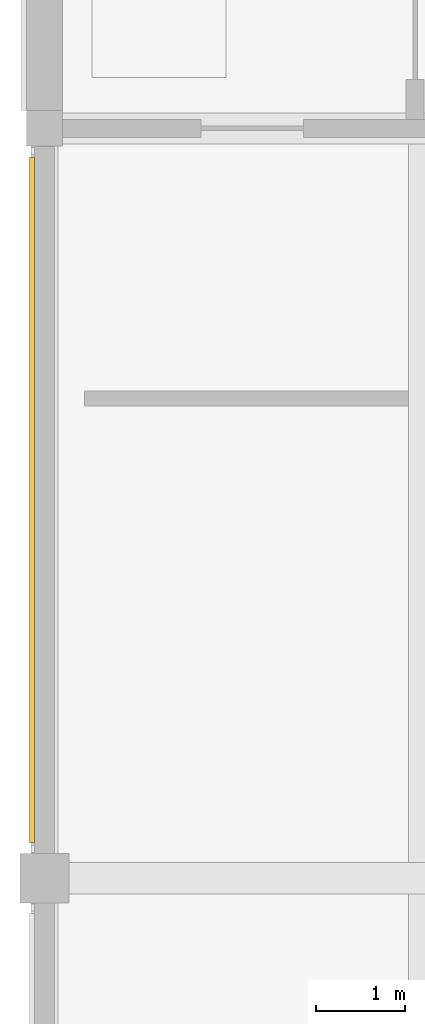
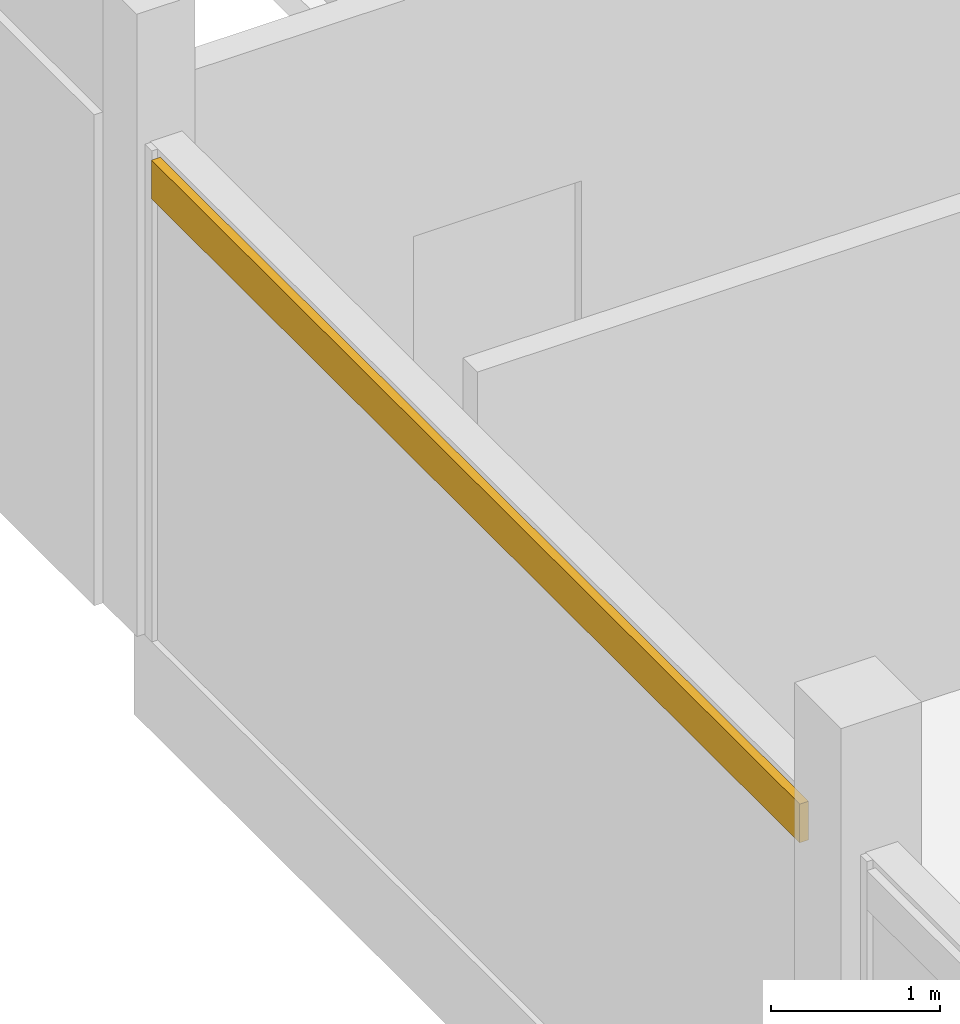
# One storey, part 6 of 11: 1 covering.
"""IFC4 building model written with IfcOpenShell, lengths in metres."""

import ifcopenshell
import ifcopenshell.guid

model = None  # the IFC model being written
_history = None  # IfcOwnerHistory: only IFC2X3 demands one
_inside = {}  # id of a spatial element -> (the spatial element, [elements in it])
_under = {}  # id of a project, library or spatial element -> (it, [spatial elements below it])
_declared = {}  # id of a project -> (the project, [libraries it declares])
_typed = {}  # id of a type object -> (the type object, [elements of that type])
_made_of = {}  # id of a material, layer set ... -> (it, [elements and type objects made of it])


def new_model(schema):
    """Start an empty IFC model of exactly this schema.

    Asked for "IFC4X3", IfcOpenShell would pick the latest addendum, in which some entities
    have other attributes; the version numbers below select the first issue.
    IFC2X3 requires an IfcOwnerHistory on every rooted entity: one is made here for all.
    """
    global model, _history
    if schema == "IFC4X3":
        model = ifcopenshell.file(schema_version=(4, 3, 0, 0))
    else:
        model = ifcopenshell.file(schema=schema)
    _inside.clear()
    _under.clear()
    _declared.clear()
    _typed.clear()
    _made_of.clear()
    _history = None
    if model.schema == "IFC2X3":
        org = make("IfcOrganization", Name="unknown")
        user = make(
            "IfcPersonAndOrganization",
            ThePerson=make("IfcPerson", FamilyName="unknown"),
            TheOrganization=org,
        )
        app = make(
            "IfcApplication",
            ApplicationDeveloper=org,
            Version="unknown",
            ApplicationFullName="unknown",
            ApplicationIdentifier="unknown",
        )
        _history = make(
            "IfcOwnerHistory",
            OwningUser=user,
            OwningApplication=app,
            ChangeAction="ADDED",
            CreationDate=0,
        )
    return model


def make(cls, **values):
    """One entity of the class cls with the attributes given. An attribute that is None is left unset."""
    return model.create_entity(
        cls, **{name: value for name, value in values.items() if value is not None}
    )


def rooted(cls, **values):
    """An entity with a GlobalId (a new one), such as an element, a storey or a relation."""
    return make(cls, GlobalId=ifcopenshell.guid.new(), OwnerHistory=_history, **values)


def si_unit(unit_type, name, prefix=None):
    """IfcSIUnit, for example si_unit("LENGTHUNIT", "METRE", prefix="MILLI")."""
    return make("IfcSIUnit", UnitType=unit_type, Prefix=prefix, Name=name)


def assignment(units):
    """IfcUnitAssignment: the units of a project."""
    return None if units is None else make("IfcUnitAssignment", Units=units)


def point(xyz):
    """IfcCartesianPoint."""
    return None if xyz is None else make("IfcCartesianPoint", Coordinates=xyz)


def direction(xyz):
    """IfcDirection."""
    return None if xyz is None else make("IfcDirection", DirectionRatios=xyz)


def frame(location, z_axis=None, x_axis=None):
    """IfcAxis2Placement3D, a coordinate frame: its origin and axes. An axis left out is left unset."""
    return make(
        "IfcAxis2Placement3D",
        Location=point(location),
        Axis=direction(z_axis),
        RefDirection=direction(x_axis),
    )


def frame_2d(location, x_axis=None):
    """IfcAxis2Placement2D, a coordinate frame in the plane: its origin and x axis."""
    return make(
        "IfcAxis2Placement2D", Location=point(location), RefDirection=direction(x_axis)
    )


def origin():
    """The frame at (0, 0, 0) with its axes left unset."""
    return frame((0.0, 0.0, 0.0))


def origin_2d():
    """The frame at (0, 0) in the plane with its x axis left unset."""
    return frame_2d((0.0, 0.0))


def place(relative_to, where):
    """IfcLocalPlacement: puts the frame where relative to a parent placement (None: the world)."""
    return make(
        "IfcLocalPlacement", PlacementRelTo=relative_to, RelativePlacement=where
    )


def context(
    kind, dimensions, precision=None, world=None, true_north=None, identifier=None
):
    """IfcGeometricRepresentationContext, for example the 3D "Model" context."""
    return make(
        "IfcGeometricRepresentationContext",
        ContextIdentifier=identifier,
        ContextType=kind,
        CoordinateSpaceDimension=dimensions,
        Precision=precision,
        WorldCoordinateSystem=world,
        TrueNorth=true_north,
    )


def subcontext(parent, identifier, kind, view, scale=None):
    """IfcGeometricRepresentationSubContext, for example "Body" below "Model"."""
    return make(
        "IfcGeometricRepresentationSubContext",
        ContextIdentifier=identifier,
        ContextType=kind,
        ParentContext=parent,
        TargetScale=scale,
        TargetView=view,
    )


def project(units=None, contexts=None):
    """IfcProject with its units and contexts."""
    return rooted(
        "IfcProject",
        Name="project",
        RepresentationContexts=contexts,
        UnitsInContext=assignment(units),
    )


def spatial(cls, under=None, at=None, **own):
    """A site, building, storey or space (cls), placed at a placement, below another one or the project."""
    s = rooted(cls, ObjectPlacement=at, **own)
    if under is not None:
        _under.setdefault(under.id(), (under, []))[1].append(s)
    return s


def profile(cls, at=None, kind="AREA", **sizes):
    """A parametric profile (cls). Its sizes go by their IFC names, for example OverallWidth=200.0."""
    return make(cls, ProfileType=kind, Position=at, **sizes)


def rectangle(**sizes):
    """IfcRectangleProfileDef."""
    return profile("IfcRectangleProfileDef", **sizes)


def extrude(swept, where, along, depth):
    """IfcExtrudedAreaSolid: the profile swept, set in the frame where, extruded along a direction by depth."""
    return make(
        "IfcExtrudedAreaSolid",
        SweptArea=swept,
        Position=where,
        ExtrudedDirection=direction(along),
        Depth=depth,
    )


def shape(context_of_items, identifier, shape_type, items):
    """IfcShapeRepresentation: the items that make up one representation, for example the "Body"."""
    return make(
        "IfcShapeRepresentation",
        ContextOfItems=context_of_items,
        RepresentationIdentifier=identifier,
        RepresentationType=shape_type,
        Items=items,
    )


def material(Name=None, Category=None):
    """IfcMaterial."""
    return make("IfcMaterial", Name=Name, Category=Category)


def layer(
    of_material, thickness, ventilated=None, Name=None, Category=None, Priority=None
):
    """IfcMaterialLayer: one layer of a wall or slab, of a material (None: an air gap)."""
    return make(
        "IfcMaterialLayer",
        Material=of_material,
        LayerThickness=thickness,
        IsVentilated=ventilated,
        Name=Name,
        Category=Category,
        Priority=Priority,
    )


def layer_set(layers, Name=None):
    """IfcMaterialLayerSet."""
    return make("IfcMaterialLayerSet", MaterialLayers=layers, LayerSetName=Name)


def made_of(thing, what):
    """Note that an element or type object is made of a material, layer set ...; save() writes the relation."""
    if what is not None:
        _made_of.setdefault(what.id(), (what, []))[1].append(thing)
    return thing


def type_object(cls, material=None, **own):
    """A type object (cls), such as IfcWallType, which elements share."""
    return made_of(rooted(cls, **own), material)


def element(
    cls,
    number,
    at=None,
    inside=None,
    cuts=None,
    type_object=None,
    material=None,
    context=None,
    identifier="Body",
    shape_type=None,
    held_by="IfcProductDefinitionShape",
    body=None,
    shapes=None,
    **own,
):
    """One element of the class cls, such as IfcWall. Its Tag is "e" and its number.

    at: its placement. inside: the storey or other place that contains it. cuts: it is an
    opening in that element (IfcRelVoidsElement). A single representation is given by context,
    identifier, shape_type and body (its items); several are given by shapes. held_by: the class
    of the entity that holds the representations. save() writes the other relations.
    """
    e = rooted(cls, Tag="e%d" % number, ObjectPlacement=at, **own)
    if body is not None:
        shapes = [shape(context, identifier, shape_type, body)]
    if shapes is not None:
        e.Representation = make(held_by, Representations=shapes)
    if inside is not None:
        _inside.setdefault(inside.id(), (inside, []))[1].append(e)
    if cuts is not None:
        rooted(
            "IfcRelVoidsElement", RelatingBuildingElement=cuts, RelatedOpeningElement=e
        )
    if type_object is not None:
        _typed.setdefault(type_object.id(), (type_object, []))[1].append(e)
    return made_of(e, material)


def aggregate(whole, parts):
    """IfcRelAggregates: a whole, such as a stair, and the parts it consists of."""
    return rooted("IfcRelAggregates", RelatingObject=whole, RelatedObjects=parts)


def save(model, path):
    """Write the relations noted so far, then the file.

    IfcRelAggregates (storeys below a building ...), IfcRelContainedInSpatialStructure (elements
    in a storey), IfcRelDefinesByType, IfcRelAssociatesMaterial and IfcRelDeclares: one each for
    every whole, place, type object, material and project.
    """
    for whole, parts in _under.values():
        aggregate(whole, parts)
    for where, things in _inside.values():
        rooted(
            "IfcRelContainedInSpatialStructure",
            RelatedElements=things,
            RelatingStructure=where,
        )
    for kind, things in _typed.values():
        rooted("IfcRelDefinesByType", RelatedObjects=things, RelatingType=kind)
    for what, things in _made_of.values():
        rooted("IfcRelAssociatesMaterial", RelatedObjects=things, RelatingMaterial=what)
    for by, libraries in _declared.values():
        rooted("IfcRelDeclares", RelatingContext=by, RelatedDefinitions=libraries)
    model.write(path)


model = new_model("IFC4")

# Units and contexts
model_context = context("Model", 3, precision=1e-05, world=origin(), true_north=direction((0.0, 1.0)))
body_context = subcontext(model_context, "Body", "Model", "MODEL_VIEW")
ifc_project = project(units=[si_unit("LENGTHUNIT", "METRE"), si_unit("AREAUNIT", "SQUARE_METRE"), si_unit("VOLUMEUNIT", "CUBIC_METRE"), si_unit("PLANEANGLEUNIT", "RADIAN"), si_unit("MASSUNIT", "GRAM", prefix="KILO")], contexts=[model_context])

# Site, building, storey
site_placement = place(None, origin())
site = spatial("IfcSite", under=ifc_project, at=site_placement, CompositionType="ELEMENT")
building_placement = place(site_placement, origin())
building = spatial("IfcBuilding", under=site, at=building_placement, Name="Telukmera Botanical Conservatory", CompositionType="ELEMENT")
storey_placement = place(building_placement, frame((0.0, 0.0, 73.5)))
storey = spatial("IfcBuildingStorey", under=building, at=storey_placement, Name="L16", CompositionType="ELEMENT", Elevation=73.5)

# Covering
ifc_material = material(Name="Terracotta-faced precast concrete C40/50", Category="masonry")
ifc_layer = layer(ifc_material, 0.06005859375)
ifc_layer_set = layer_set([ifc_layer], Name="Terracotta-faced precast concrete C40/50")
covering_type = type_object("IfcCoveringType", Name="Polychrome Terracotta Facade Band Cladding", PredefinedType="CLADDING", material=ifc_layer_set)
covering_placement = place(storey_placement, frame((58.659912109375, 21.83740234375, 3.22998046875), z_axis=(0.0, 0.0, 1.0), x_axis=(0.0, 1.0, 0.0)))
element("IfcCovering", 1, at=covering_placement, inside=storey, type_object=covering_type, Name="Polychrome Terracotta Band V4:L16:W2", PredefinedType="CLADDING", context=body_context, shape_type="SweptSolid", body=[
    extrude(rectangle(XDim=7.680908203125, YDim=0.06005859375, at=origin_2d()), origin(), (0.0, 0.0, 1.0), 0.280029296875),
])

save(model, "model.ifc")
